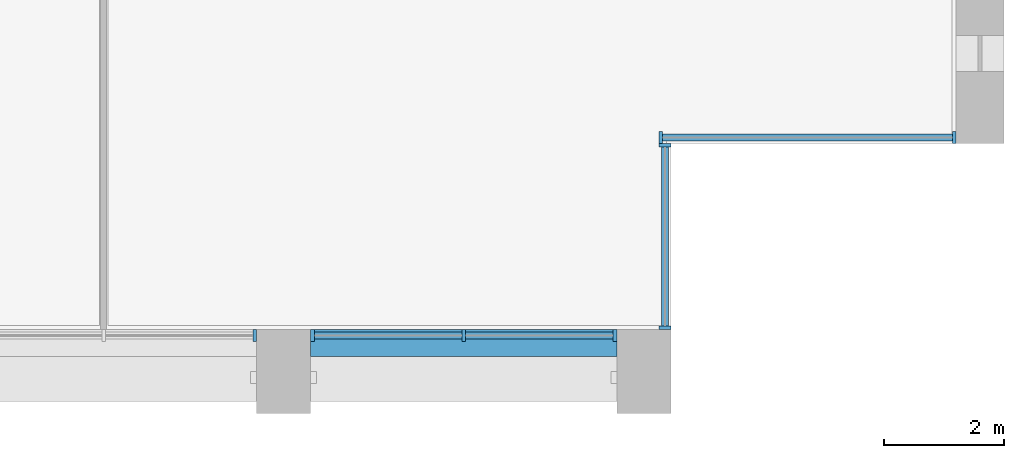
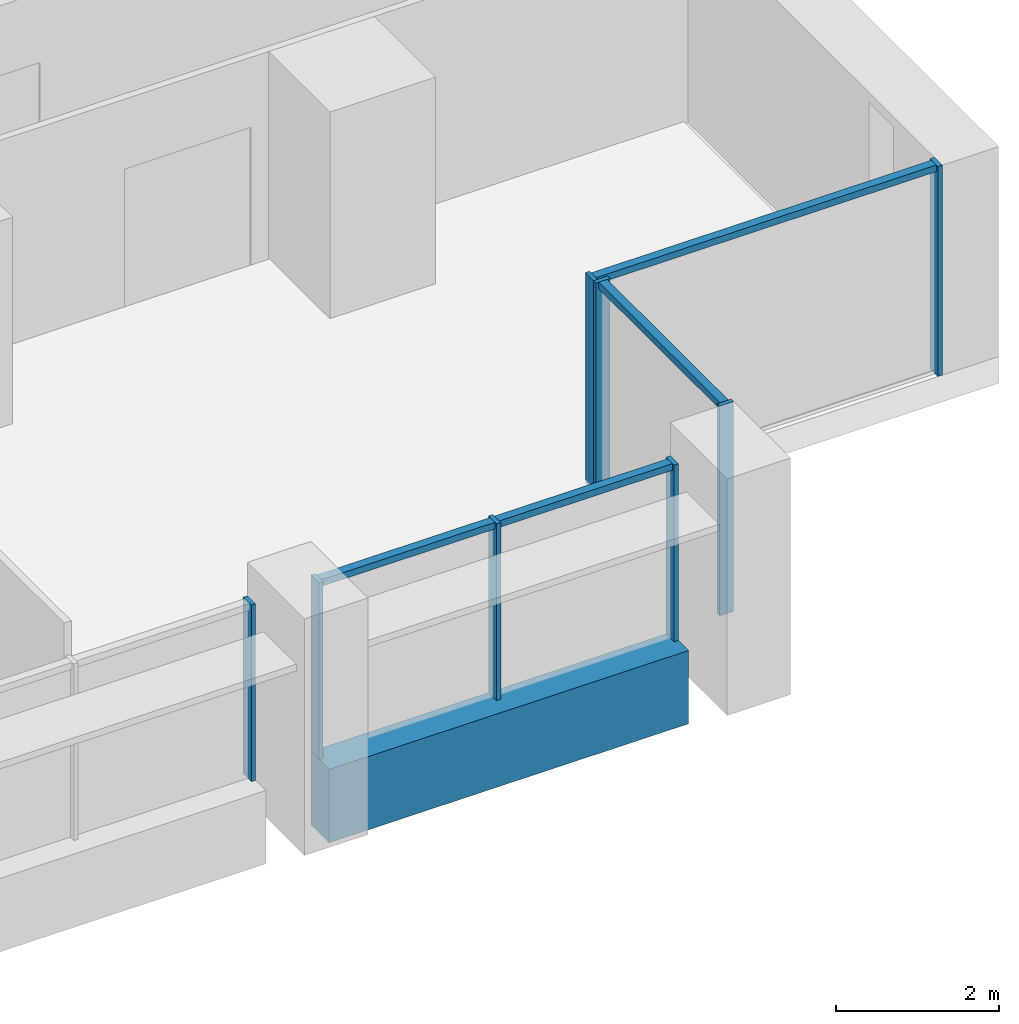
# One storey, part 5 of 18: 12 members, 1 beam, 4 elements without a shape of their own.
"""IFC4 building model written with IfcOpenShell, lengths in metres."""

import ifcopenshell
import ifcopenshell.guid

model = None  # the IFC model being written
_history = None  # IfcOwnerHistory: only IFC2X3 demands one
_inside = {}  # id of a spatial element -> (the spatial element, [elements in it])
_under = {}  # id of a project, library or spatial element -> (it, [spatial elements below it])
_declared = {}  # id of a project -> (the project, [libraries it declares])
_typed = {}  # id of a type object -> (the type object, [elements of that type])
_made_of = {}  # id of a material, layer set ... -> (it, [elements and type objects made of it])


def new_model(schema):
    """Start an empty IFC model of exactly this schema.

    Asked for "IFC4X3", IfcOpenShell would pick the latest addendum, in which some entities
    have other attributes; the version numbers below select the first issue.
    IFC2X3 requires an IfcOwnerHistory on every rooted entity: one is made here for all.
    """
    global model, _history
    if schema == "IFC4X3":
        model = ifcopenshell.file(schema_version=(4, 3, 0, 0))
    else:
        model = ifcopenshell.file(schema=schema)
    _inside.clear()
    _under.clear()
    _declared.clear()
    _typed.clear()
    _made_of.clear()
    _history = None
    if model.schema == "IFC2X3":
        org = make("IfcOrganization", Name="unknown")
        user = make(
            "IfcPersonAndOrganization",
            ThePerson=make("IfcPerson", FamilyName="unknown"),
            TheOrganization=org,
        )
        app = make(
            "IfcApplication",
            ApplicationDeveloper=org,
            Version="unknown",
            ApplicationFullName="unknown",
            ApplicationIdentifier="unknown",
        )
        _history = make(
            "IfcOwnerHistory",
            OwningUser=user,
            OwningApplication=app,
            ChangeAction="ADDED",
            CreationDate=0,
        )
    return model


def make(cls, **values):
    """One entity of the class cls with the attributes given. An attribute that is None is left unset."""
    return model.create_entity(
        cls, **{name: value for name, value in values.items() if value is not None}
    )


def rooted(cls, **values):
    """An entity with a GlobalId (a new one), such as an element, a storey or a relation."""
    return make(cls, GlobalId=ifcopenshell.guid.new(), OwnerHistory=_history, **values)


def si_unit(unit_type, name, prefix=None):
    """IfcSIUnit, for example si_unit("LENGTHUNIT", "METRE", prefix="MILLI")."""
    return make("IfcSIUnit", UnitType=unit_type, Prefix=prefix, Name=name)


def assignment(units):
    """IfcUnitAssignment: the units of a project."""
    return None if units is None else make("IfcUnitAssignment", Units=units)


def point(xyz):
    """IfcCartesianPoint."""
    return None if xyz is None else make("IfcCartesianPoint", Coordinates=xyz)


def direction(xyz):
    """IfcDirection."""
    return None if xyz is None else make("IfcDirection", DirectionRatios=xyz)


def frame(location, z_axis=None, x_axis=None):
    """IfcAxis2Placement3D, a coordinate frame: its origin and axes. An axis left out is left unset."""
    return make(
        "IfcAxis2Placement3D",
        Location=point(location),
        Axis=direction(z_axis),
        RefDirection=direction(x_axis),
    )


def frame_2d(location, x_axis=None):
    """IfcAxis2Placement2D, a coordinate frame in the plane: its origin and x axis."""
    return make(
        "IfcAxis2Placement2D", Location=point(location), RefDirection=direction(x_axis)
    )


def origin():
    """The frame at (0, 0, 0) with its axes left unset."""
    return frame((0.0, 0.0, 0.0))


def origin_2d():
    """The frame at (0, 0) in the plane with its x axis left unset."""
    return frame_2d((0.0, 0.0))


def place(relative_to, where):
    """IfcLocalPlacement: puts the frame where relative to a parent placement (None: the world)."""
    return make(
        "IfcLocalPlacement", PlacementRelTo=relative_to, RelativePlacement=where
    )


def context(
    kind, dimensions, precision=None, world=None, true_north=None, identifier=None
):
    """IfcGeometricRepresentationContext, for example the 3D "Model" context."""
    return make(
        "IfcGeometricRepresentationContext",
        ContextIdentifier=identifier,
        ContextType=kind,
        CoordinateSpaceDimension=dimensions,
        Precision=precision,
        WorldCoordinateSystem=world,
        TrueNorth=true_north,
    )


def subcontext(parent, identifier, kind, view, scale=None):
    """IfcGeometricRepresentationSubContext, for example "Body" below "Model"."""
    return make(
        "IfcGeometricRepresentationSubContext",
        ContextIdentifier=identifier,
        ContextType=kind,
        ParentContext=parent,
        TargetScale=scale,
        TargetView=view,
    )


def project(units=None, contexts=None):
    """IfcProject with its units and contexts."""
    return rooted(
        "IfcProject",
        Name="project",
        RepresentationContexts=contexts,
        UnitsInContext=assignment(units),
    )


def spatial(cls, under=None, at=None, **own):
    """A site, building, storey or space (cls), placed at a placement, below another one or the project."""
    s = rooted(cls, ObjectPlacement=at, **own)
    if under is not None:
        _under.setdefault(under.id(), (under, []))[1].append(s)
    return s


def profile(cls, at=None, kind="AREA", **sizes):
    """A parametric profile (cls). Its sizes go by their IFC names, for example OverallWidth=200.0."""
    return make(cls, ProfileType=kind, Position=at, **sizes)


def rectangle(**sizes):
    """IfcRectangleProfileDef."""
    return profile("IfcRectangleProfileDef", **sizes)


def extrude(swept, where, along, depth):
    """IfcExtrudedAreaSolid: the profile swept, set in the frame where, extruded along a direction by depth."""
    return make(
        "IfcExtrudedAreaSolid",
        SweptArea=swept,
        Position=where,
        ExtrudedDirection=direction(along),
        Depth=depth,
    )


def shape(context_of_items, identifier, shape_type, items):
    """IfcShapeRepresentation: the items that make up one representation, for example the "Body"."""
    return make(
        "IfcShapeRepresentation",
        ContextOfItems=context_of_items,
        RepresentationIdentifier=identifier,
        RepresentationType=shape_type,
        Items=items,
    )


def material(Name=None, Category=None):
    """IfcMaterial."""
    return make("IfcMaterial", Name=Name, Category=Category)


def material_profile(
    of_material, cross_section, Name=None, Category=None, Priority=None
):
    """IfcMaterialProfile: a cross section and its material."""
    return make(
        "IfcMaterialProfile",
        Name=Name,
        Material=of_material,
        Profile=cross_section,
        Priority=Priority,
        Category=Category,
    )


def profile_set(profiles, Name=None, composite=None):
    """IfcMaterialProfileSet."""
    return make(
        "IfcMaterialProfileSet",
        Name=Name,
        MaterialProfiles=profiles,
        CompositeProfile=composite,
    )


def made_of(thing, what):
    """Note that an element or type object is made of a material, layer set ...; save() writes the relation."""
    if what is not None:
        _made_of.setdefault(what.id(), (what, []))[1].append(thing)
    return thing


def type_object(cls, material=None, **own):
    """A type object (cls), such as IfcWallType, which elements share."""
    return made_of(rooted(cls, **own), material)


def element(
    cls,
    number,
    at=None,
    inside=None,
    cuts=None,
    type_object=None,
    material=None,
    context=None,
    identifier="Body",
    shape_type=None,
    held_by="IfcProductDefinitionShape",
    body=None,
    shapes=None,
    **own,
):
    """One element of the class cls, such as IfcWall. Its Tag is "e" and its number.

    at: its placement. inside: the storey or other place that contains it. cuts: it is an
    opening in that element (IfcRelVoidsElement). A single representation is given by context,
    identifier, shape_type and body (its items); several are given by shapes. held_by: the class
    of the entity that holds the representations. save() writes the other relations.
    """
    e = rooted(cls, Tag="e%d" % number, ObjectPlacement=at, **own)
    if body is not None:
        shapes = [shape(context, identifier, shape_type, body)]
    if shapes is not None:
        e.Representation = make(held_by, Representations=shapes)
    if inside is not None:
        _inside.setdefault(inside.id(), (inside, []))[1].append(e)
    if cuts is not None:
        rooted(
            "IfcRelVoidsElement", RelatingBuildingElement=cuts, RelatedOpeningElement=e
        )
    if type_object is not None:
        _typed.setdefault(type_object.id(), (type_object, []))[1].append(e)
    return made_of(e, material)


def aggregate(whole, parts):
    """IfcRelAggregates: a whole, such as a stair, and the parts it consists of."""
    return rooted("IfcRelAggregates", RelatingObject=whole, RelatedObjects=parts)


def save(model, path):
    """Write the relations noted so far, then the file.

    IfcRelAggregates (storeys below a building ...), IfcRelContainedInSpatialStructure (elements
    in a storey), IfcRelDefinesByType, IfcRelAssociatesMaterial and IfcRelDeclares: one each for
    every whole, place, type object, material and project.
    """
    for whole, parts in _under.values():
        aggregate(whole, parts)
    for where, things in _inside.values():
        rooted(
            "IfcRelContainedInSpatialStructure",
            RelatedElements=things,
            RelatingStructure=where,
        )
    for kind, things in _typed.values():
        rooted("IfcRelDefinesByType", RelatedObjects=things, RelatingType=kind)
    for what, things in _made_of.values():
        rooted("IfcRelAssociatesMaterial", RelatedObjects=things, RelatingMaterial=what)
    for by, libraries in _declared.values():
        rooted("IfcRelDeclares", RelatingContext=by, RelatedDefinitions=libraries)
    model.write(path)


model = new_model("IFC4")

# Units and contexts
model_context = context("Model", 3, precision=1e-05, world=origin(), true_north=direction((0.0, 1.0)))
body_context = subcontext(model_context, "Body", "Model", "MODEL_VIEW")
ifc_project = project(units=[si_unit("LENGTHUNIT", "METRE"), si_unit("AREAUNIT", "SQUARE_METRE"), si_unit("VOLUMEUNIT", "CUBIC_METRE"), si_unit("PLANEANGLEUNIT", "RADIAN"), si_unit("MASSUNIT", "GRAM", prefix="KILO")], contexts=[model_context])

# Site, building, storey
site_placement = place(None, origin())
site = spatial("IfcSite", under=ifc_project, at=site_placement, CompositionType="ELEMENT")
building_placement = place(site_placement, origin())
building = spatial("IfcBuilding", under=site, at=building_placement, Name="Calvaro Tower", CompositionType="ELEMENT")
storey_placement = place(building_placement, frame((0.0, 0.0, 86.25)))
storey = spatial("IfcBuildingStorey", under=building, at=storey_placement, Name="L21", CompositionType="ELEMENT", Elevation=86.25)

# Curtain wall, member
ifc_material_1 = material(Name="Anodised aluminium", Category="aluminium")
curtain_wall_type = type_object("IfcCurtainWallType", Name="Office curtain wall, lower zone", PredefinedType="NOTDEFINED", material=ifc_material_1)
curtain_wall_1_placement = place(storey_placement, origin())
curtain_wall_1 = element("IfcCurtainWall", 1, at=curtain_wall_1_placement, inside=storey, type_object=curtain_wall_type, Name="CW1 south curtain wall", PredefinedType="NOTDEFINED")
ifc_material_2 = material(Name="Anodised aluminium", Category="aluminium")
ifc_material_profile_1 = material_profile(ifc_material_2, rectangle(XDim=0.199951171875, YDim=0.06005859375, at=origin_2d()), Name="Mullion S1 60 x 200")
ifc_profile_set_1 = profile_set([ifc_material_profile_1], Name="Anodised aluminium")
member_type_1 = type_object("IfcMemberType", Name="Mullion S1 60 x 200", PredefinedType="MULLION", material=ifc_profile_set_1)
member_1_placement = place(storey_placement, frame((65.52001953125, 1.300048828125, 0.0), z_axis=(0.0, 0.0, 1.0), x_axis=(0.0, 1.0, 0.0)))
member_1 = element("IfcMember", 2, at=member_1_placement, type_object=member_type_1, Name="CW1 mullion 3", PredefinedType="MULLION", context=body_context, shape_type="SweptSolid", body=[
    extrude(rectangle(XDim=0.199951171875, YDim=0.06005859375, at=origin_2d()), origin(), (0.0, 0.0, 1.0), 2.64990234375),
])
aggregate(curtain_wall_1, [member_1])

# Curtain wall, members
curtain_wall_2_placement = place(storey_placement, origin())
curtain_wall_2 = element("IfcCurtainWall", 3, at=curtain_wall_2_placement, inside=storey, type_object=curtain_wall_type, Name="CW1 south curtain wall", PredefinedType="NOTDEFINED")
member_2_placement = place(storey_placement, frame((66.47998046875, 1.300048828125, 0.0), z_axis=(0.0, 0.0, 1.0), x_axis=(0.0, 1.0, 0.0)))
member_2 = element("IfcMember", 4, at=member_2_placement, type_object=member_type_1, Name="CW1 mullion 1", PredefinedType="MULLION", context=body_context, shape_type="SweptSolid", body=[
    extrude(rectangle(XDim=0.199951171875, YDim=0.06005859375, at=origin_2d()), origin(), (0.0, 0.0, 1.0), 2.64990234375),
])
member_3_placement = place(storey_placement, frame((69.0, 1.300048828125, 0.0), z_axis=(0.0, 0.0, 1.0), x_axis=(0.0, 1.0, 0.0)))
member_3 = element("IfcMember", 5, at=member_3_placement, type_object=member_type_1, Name="CW1 mullion 2", PredefinedType="MULLION", context=body_context, shape_type="SweptSolid", body=[
    extrude(rectangle(XDim=0.199951171875, YDim=0.06005859375, at=origin_2d()), origin(), (0.0, 0.0, 1.0), 2.64990234375),
])
member_4_placement = place(storey_placement, frame((71.52001953125, 1.300048828125, 0.0), z_axis=(0.0, 0.0, 1.0), x_axis=(0.0, 1.0, 0.0)))
member_4 = element("IfcMember", 6, at=member_4_placement, type_object=member_type_1, Name="CW1 mullion 3", PredefinedType="MULLION", context=body_context, shape_type="SweptSolid", body=[
    extrude(rectangle(XDim=0.199951171875, YDim=0.06005859375, at=origin_2d()), origin(), (0.0, 0.0, 1.0), 2.64990234375),
])

curtain_wall_3_placement = place(storey_placement, origin())
curtain_wall_3 = element("IfcCurtainWall", 7, at=curtain_wall_3_placement, inside=storey, type_object=curtain_wall_type, Name="CW1 corner curtain wall", PredefinedType="NOTDEFINED")
member_5_placement = place(storey_placement, frame((72.35009765625, 1.429931640625, 0.0), z_axis=(0.0, 0.0, 1.0), x_axis=(-1.0, 0.0, 0.0)))
member_5 = element("IfcMember", 8, at=member_5_placement, type_object=member_type_1, Name="CW1 mullion 1", PredefinedType="MULLION", context=body_context, shape_type="SweptSolid", body=[
    extrude(rectangle(XDim=0.199951171875, YDim=0.06005859375, at=origin_2d()), origin(), (0.0, 0.0, 1.0), 3.14990234375),
])
member_6_placement = place(storey_placement, frame((72.35009765625, 4.469970703125, 0.0), z_axis=(0.0, 0.0, 1.0), x_axis=(-1.0, 0.0, 0.0)))
member_6 = element("IfcMember", 9, at=member_6_placement, type_object=member_type_1, Name="CW1 mullion 2", PredefinedType="MULLION", context=body_context, shape_type="SweptSolid", body=[
    extrude(rectangle(XDim=0.199951171875, YDim=0.06005859375, at=origin_2d()), origin(), (0.0, 0.0, 1.0), 3.14990234375),
])

curtain_wall_4_placement = place(storey_placement, origin())
curtain_wall_4 = element("IfcCurtainWall", 10, at=curtain_wall_4_placement, inside=storey, type_object=curtain_wall_type, Name="CW1 corner curtain wall", PredefinedType="NOTDEFINED")
member_7_placement = place(storey_placement, frame((72.280029296875, 4.60009765625, 0.0), z_axis=(0.0, 0.0, 1.0), x_axis=(0.0, 1.0, 0.0)))
member_7 = element("IfcMember", 11, at=member_7_placement, type_object=member_type_1, Name="CW1 mullion 1", PredefinedType="MULLION", context=body_context, shape_type="SweptSolid", body=[
    extrude(rectangle(XDim=0.199951171875, YDim=0.06005859375, at=origin_2d()), origin(), (0.0, 0.0, 1.0), 3.14990234375),
])
member_8_placement = place(storey_placement, frame((77.169921875, 4.60009765625, 0.0), z_axis=(0.0, 0.0, 1.0), x_axis=(0.0, 1.0, 0.0)))
member_8 = element("IfcMember", 12, at=member_8_placement, type_object=member_type_1, Name="CW1 mullion 2", PredefinedType="MULLION", context=body_context, shape_type="SweptSolid", body=[
    extrude(rectangle(XDim=0.199951171875, YDim=0.06005859375, at=origin_2d()), origin(), (0.0, 0.0, 1.0), 3.14990234375),
])

# Beam
ifc_material_3 = material(Name="Concrete C50/60 precast", Category="concrete")
ifc_material_profile_2 = material_profile(ifc_material_3, rectangle(XDim=0.449951171875, YDim=1.10009765625, at=origin_2d()), Name="RC 450x1100")
ifc_profile_set_2 = profile_set([ifc_material_profile_2], Name="Concrete C50/60 precast")
beam_type = type_object("IfcBeamType", Name="Spandrel beam 450x1100 C50/60", PredefinedType="SPANDREL", material=ifc_profile_set_2)
beam_placement = place(storey_placement, frame((66.449951171875, 1.175048828125, -0.550048828125), z_axis=(1.0, 0.0, 0.0), x_axis=(0.0, 1.0, 0.0)))
element("IfcBeam", 13, at=beam_placement, inside=storey, type_object=beam_type, Name="Spandrel beam", PredefinedType="SPANDREL", context=body_context, shape_type="SweptSolid", body=[
    extrude(rectangle(XDim=0.449951171875, YDim=1.10009765625, at=origin_2d()), origin(), (0.0, 0.0, 1.0), 5.10009765625),
])

# Member
ifc_material_4 = material(Name="Anodised aluminium", Category="aluminium")
ifc_material_profile_3 = material_profile(ifc_material_4, rectangle(XDim=0.1201171875, YDim=0.10009765625, at=origin_2d()), Name="Transom S1 100 x 120")
ifc_profile_set_3 = profile_set([ifc_material_profile_3], Name="Anodised aluminium")
member_type_2 = type_object("IfcMemberType", Name="Transom S1 100 x 120", PredefinedType="USERDEFINED", material=ifc_profile_set_3)
member_9_placement = place(storey_placement, frame((66.510009765625, 1.300048828125, 2.60009765625), z_axis=(1.0, 0.0, 0.0), x_axis=(0.0, 1.0, 0.0)))
member_9 = element("IfcMember", 14, at=member_9_placement, type_object=member_type_2, Name="CW1 transom 1.1", ObjectType="TRANSOM", PredefinedType="USERDEFINED", context=body_context, shape_type="SweptSolid", body=[
    extrude(rectangle(XDim=0.1201171875, YDim=0.10009765625, at=origin_2d()), origin(), (0.0, 0.0, 1.0), 2.4599609375),
])

member_10_placement = place(storey_placement, frame((69.030029296875, 1.300048828125, 2.60009765625), z_axis=(1.0, 0.0, 0.0), x_axis=(0.0, 1.0, 0.0)))
member_10 = element("IfcMember", 15, at=member_10_placement, type_object=member_type_2, Name="CW1 transom 2.1", ObjectType="TRANSOM", PredefinedType="USERDEFINED", context=body_context, shape_type="SweptSolid", body=[
    extrude(rectangle(XDim=0.1201171875, YDim=0.10009765625, at=origin_2d()), origin(), (0.0, 0.0, 1.0), 2.4599609375),
])

aggregate(curtain_wall_2, [member_2, member_3, member_4, member_9, member_10])

member_11_placement = place(storey_placement, frame((72.35009765625, 1.4599609375, 3.10009765625), z_axis=(0.0, 1.0, 0.0), x_axis=(-1.0, 0.0, 0.0)))
member_11 = element("IfcMember", 16, at=member_11_placement, type_object=member_type_2, Name="CW1 transom 1.1", ObjectType="TRANSOM", PredefinedType="USERDEFINED", context=body_context, shape_type="SweptSolid", body=[
    extrude(rectangle(XDim=0.1201171875, YDim=0.10009765625, at=origin_2d()), origin(), (0.0, 0.0, 1.0), 2.97998046875),
])

aggregate(curtain_wall_3, [member_5, member_6, member_11])

member_12_placement = place(storey_placement, frame((72.31005859375, 4.60009765625, 3.10009765625), z_axis=(1.0, 0.0, 0.0), x_axis=(0.0, 1.0, 0.0)))
member_12 = element("IfcMember", 17, at=member_12_placement, type_object=member_type_2, Name="CW1 transom 1.1", ObjectType="TRANSOM", PredefinedType="USERDEFINED", context=body_context, shape_type="SweptSolid", body=[
    extrude(rectangle(XDim=0.1201171875, YDim=0.10009765625, at=origin_2d()), origin(), (0.0, 0.0, 1.0), 4.829833984375),
])

aggregate(curtain_wall_4, [member_7, member_8, member_12])

save(model, "model.ifc")
